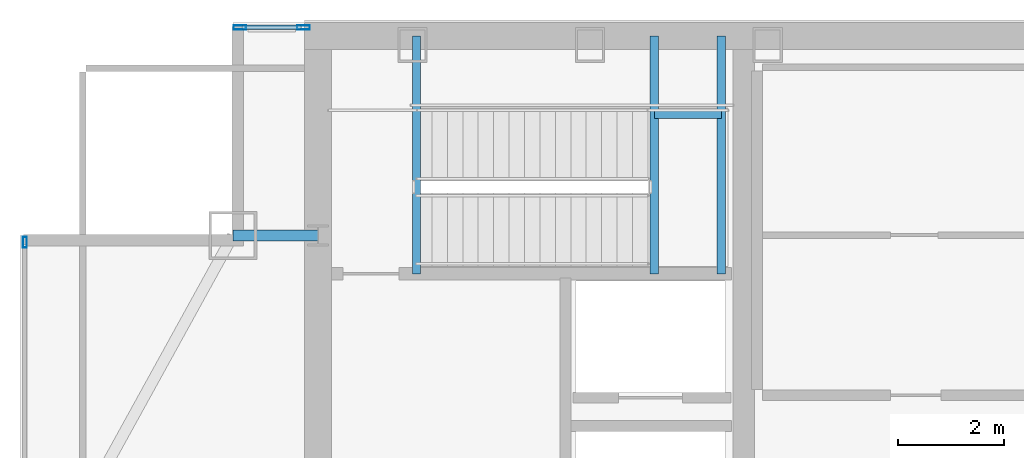
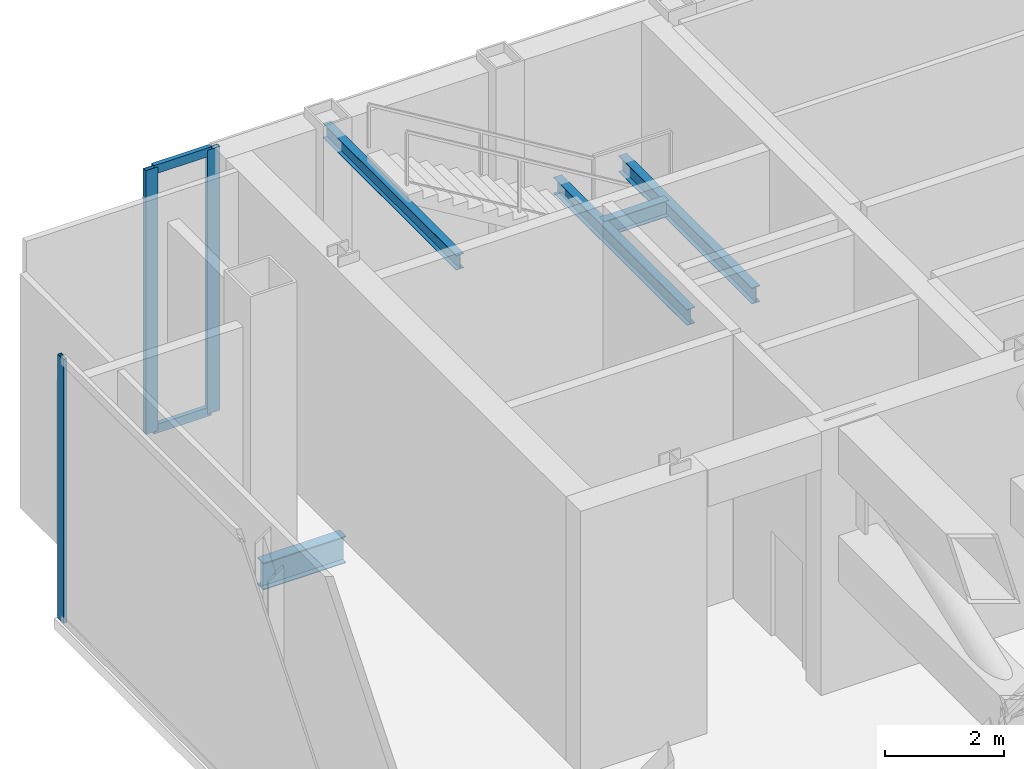
# One storey, part 19 of 26: 5 beams, 5 members, 2 elements without a shape of their own.
"""IFC4 building model written with IfcOpenShell, lengths in metres."""

from ifc_helpers import new_model, si_unit, direction, frame, origin, origin_2d, place, context, subcontext, project, spatial, hollow_rectangle, i_section, extrude, material, material_profile, profile_set, type_object, element, aggregate, save


model = new_model("IFC4")

# Units and contexts
model_context = context("Model", 3, precision=1e-05, world=origin(), true_north=direction((0.0, 1.0)))
body_context = subcontext(model_context, "Body", "Model", "MODEL_VIEW")
ifc_project = project(units=[si_unit("LENGTHUNIT", "METRE"), si_unit("AREAUNIT", "SQUARE_METRE"), si_unit("VOLUMEUNIT", "CUBIC_METRE"), si_unit("PLANEANGLEUNIT", "RADIAN"), si_unit("MASSUNIT", "GRAM", prefix="KILO")], contexts=[model_context])

# Site, building, storey
site_placement = place(None, origin())
site = spatial("IfcSite", under=ifc_project, at=site_placement, CompositionType="ELEMENT")
building_placement = place(site_placement, origin())
building = spatial("IfcBuilding", under=site, at=building_placement, Name="Khoronbel Lancet Exchange", CompositionType="ELEMENT")
storey_placement = place(building_placement, frame((0.0, 0.0, 350.60009765625)))
storey = spatial("IfcBuildingStorey", under=building, at=storey_placement, Name="L91", CompositionType="ELEMENT", Elevation=350.60009765625)

# Beams
ifc_material_1 = material(Name="Steel S355", Category="steel")
ifc_material_profile_1 = material_profile(ifc_material_1, i_section(OverallWidth=0.159912109375, OverallDepth=0.330078125, WebThickness=0.007568359375, FlangeThickness=0.011474609375, at=origin_2d()), Name="IPE 330")
ifc_profile_set_1 = profile_set([ifc_material_profile_1], Name="Steel S355")
beam_type_1 = type_object("IfcBeamType", Name="BM-BJ7", PredefinedType="JOIST", material=ifc_profile_set_1)
for number, where, z_axis, x_axis, name in (
    (1, (22.77001953125, 48.97998046875, 2.434814453125), (0.0, 1.0, 0.0), (-1.0, 0.0, 0.0), "Level L91 stair ST1 landing bearer beam 1"),
    (2, (24.030029296875, 48.97998046875, 2.434814453125), (0.0, 1.0, 0.0), (-1.0, 0.0, 0.0), "Level L91 stair ST1 rear landing bearer beam 1"),
):
    element("IfcBeam", number, at=place(storey_placement, frame(where, z_axis=z_axis, x_axis=x_axis)), inside=storey, type_object=beam_type_1, Name=name, PredefinedType="JOIST", context=body_context, shape_type="SweptSolid", body=[
        extrude(i_section(OverallWidth=0.159912109375, OverallDepth=0.330078125, WebThickness=0.007568359375, FlangeThickness=0.011474609375, at=origin_2d()), origin(), (0.0, 0.0, 1.0), 4.469970703125),
    ])
beam_1_placement = place(storey_placement, frame((22.77001953125, 51.97998046875, 2.434814453125), z_axis=(1.0, 0.0, 0.0), x_axis=(0.0, 1.0, 0.0)))
element("IfcBeam", 3, at=beam_1_placement, inside=storey, type_object=beam_type_1, Name="Level L91 stair ST1 landing cross trimmer beam 1", PredefinedType="JOIST", context=body_context, shape_type="SweptSolid", body=[
    extrude(i_section(OverallWidth=0.159912109375, OverallDepth=0.330078125, WebThickness=0.007568359375, FlangeThickness=0.011474609375, at=origin_2d()), origin(), (0.0, 0.0, 1.0), 1.260009765625),
])
ifc_material_profile_2 = material_profile(ifc_material_1, i_section(OverallWidth=0.14990234375, OverallDepth=0.300048828125, WebThickness=0.007080078125, FlangeThickness=0.0107421875, at=origin_2d()), Name="IPE 300")
ifc_profile_set_2 = profile_set([ifc_material_profile_2], Name="Steel S355")
beam_type_2 = type_object("IfcBeamType", Name="BM-BJ8", PredefinedType="JOIST", material=ifc_profile_set_2)
beam_2_placement = place(storey_placement, frame((18.300048828125, 48.97998046875, 5.119873046875), z_axis=(0.0, 1.0, 0.0), x_axis=(-1.0, 0.0, 0.0)))
element("IfcBeam", 4, at=beam_2_placement, inside=storey, type_object=beam_type_2, Name="Level L91 stair ST1 upper-flight arrival trimmer beam", PredefinedType="JOIST", context=body_context, shape_type="SweptSolid", body=[
    extrude(i_section(OverallWidth=0.14990234375, OverallDepth=0.300048828125, WebThickness=0.007080078125, FlangeThickness=0.0107421875, at=origin_2d()), origin(), (0.0, 0.0, 1.0), 4.469970703125),
])
ifc_material_profile_3 = material_profile(ifc_material_1, i_section(OverallWidth=0.2099609375, OverallDepth=0.550048828125, WebThickness=0.010986328125, FlangeThickness=0.01708984375, at=origin_2d()), Name="IPE 550")
ifc_profile_set_3 = profile_set([ifc_material_profile_3], Name="Steel S355")
beam_type_3 = type_object("IfcBeamType", Name="BM-BSP3", PredefinedType="SPANDREL", material=ifc_profile_set_3)
beam_3_placement = place(storey_placement, frame((14.85009765625, 49.699951171875, -0.4951171875), z_axis=(1.0, 0.0, 0.0), x_axis=(0.0, 1.0, 0.0)))
element("IfcBeam", 5, at=beam_3_placement, inside=storey, type_object=beam_type_3, Name="Level L91 north flank tie spandrel SP20", PredefinedType="SPANDREL", context=body_context, shape_type="SweptSolid", body=[
    extrude(i_section(OverallWidth=0.2099609375, OverallDepth=0.550048828125, WebThickness=0.010986328125, FlangeThickness=0.01708984375, at=origin_2d()), origin(), (0.0, 0.0, 1.0), 1.599853515625),
])

# Curtain wall, members
ifc_material_2 = material(Name="Low-E Solar Control Insulating Glass", Category="glass")
curtain_wall_type = type_object("IfcCurtainWallType", Name="CW-6", PredefinedType="NOTDEFINED", material=ifc_material_2)
curtain_wall_1_placement = place(storey_placement, origin())
curtain_wall_1 = element("IfcCurtainWall", 6, at=curtain_wall_1_placement, inside=storey, type_object=curtain_wall_type, Name="Unitised curtain wall CW-L91-NWFLK", PredefinedType="NOTDEFINED")
ifc_material_3 = material(Name="Bronze-Anodised Aluminium 6063-T6", Category="aluminium")
ifc_material_profile_4 = material_profile(ifc_material_3, hollow_rectangle(XDim=0.0849609375, YDim=0.239990234375, WallThickness=0.006103515625, at=origin_2d()), Name="ALU MULLION 85x240")
ifc_profile_set_4 = profile_set([ifc_material_profile_4], Name="Bronze-Anodised Aluminium 6063-T6")
member_type_1 = type_object("IfcMemberType", Name="MEM-CWM1", PredefinedType="MULLION", material=ifc_profile_set_4)
member_1_placement = place(storey_placement, frame((16.177490234375, 53.610107421875, 0.0), z_axis=(0.0, 0.0, 1.0), x_axis=(0.0, -1.0, 0.0)))
member_1 = element("IfcMember", 7, at=member_1_placement, type_object=member_type_1, Name="CW6 mullion 1", PredefinedType="MULLION", context=body_context, shape_type="SweptSolid", body=[
    extrude(hollow_rectangle(XDim=0.0849609375, YDim=0.239990234375, WallThickness=0.006103515625, at=origin_2d()), origin(), (0.0, 0.0, 1.0), 5.39990234375),
])
member_2_placement = place(storey_placement, frame((14.982421875, 53.610107421875, 0.0), z_axis=(0.0, 0.0, 1.0), x_axis=(0.0, -1.0, 0.0)))
member_2 = element("IfcMember", 8, at=member_2_placement, type_object=member_type_1, Name="CW6 mullion 2", PredefinedType="MULLION", context=body_context, shape_type="SweptSolid", body=[
    extrude(hollow_rectangle(XDim=0.0849609375, YDim=0.239990234375, WallThickness=0.006103515625, at=origin_2d()), origin(), (0.0, 0.0, 1.0), 5.39990234375),
])

# Curtain wall, member
curtain_wall_2_placement = place(storey_placement, origin())
curtain_wall_2 = element("IfcCurtainWall", 9, at=curtain_wall_2_placement, inside=storey, type_object=curtain_wall_type, Name="Unitised curtain wall CW-L91-E03", PredefinedType="NOTDEFINED")
ifc_material_profile_5 = material_profile(ifc_material_3, hollow_rectangle(XDim=0.074951171875, YDim=0.199951171875, WallThickness=0.0048828125, at=origin_2d()), Name="ALU MULLION 75x200")
ifc_profile_set_5 = profile_set([ifc_material_profile_5], Name="Bronze-Anodised Aluminium 6063-T6")
member_type_2 = type_object("IfcMemberType", Name="MEM-CWM2", PredefinedType="MULLION", material=ifc_profile_set_5)
member_3_placement = place(storey_placement, frame((10.93994140625, 49.572509765625, 0.0), z_axis=(0.0, 0.0, 1.0), x_axis=(-1.0, 0.0, 0.0)))
member_3 = element("IfcMember", 10, at=member_3_placement, type_object=member_type_2, Name="CW6 mullion 3", PredefinedType="MULLION", context=body_context, shape_type="SweptSolid", body=[
    extrude(hollow_rectangle(XDim=0.074951171875, YDim=0.199951171875, WallThickness=0.0048828125, at=origin_2d()), origin(), (0.0, 0.0, 1.0), 5.39990234375),
])
aggregate(curtain_wall_2, [member_3])

# Member
ifc_material_profile_6 = material_profile(ifc_material_3, hollow_rectangle(XDim=0.0849609375, YDim=0.179931640625, WallThickness=0.0048828125, at=origin_2d()), Name="ALU TRANSOM 85x180")
ifc_profile_set_6 = profile_set([ifc_material_profile_6], Name="Bronze-Anodised Aluminium 6063-T6")
member_type_3 = type_object("IfcMemberType", Name="MEM-CWT1", PredefinedType="USERDEFINED", material=ifc_profile_set_6)
member_4_placement = place(storey_placement, frame((16.135009765625, 53.610107421875, 0.04248046875), z_axis=(-1.0, 0.0, 0.0), x_axis=(0.0, -1.0, 0.0)))
member_4 = element("IfcMember", 11, at=member_4_placement, type_object=member_type_3, Name="CW6 transom 1.1", ObjectType="TRANSOM", PredefinedType="USERDEFINED", context=body_context, shape_type="SweptSolid", body=[
    extrude(hollow_rectangle(XDim=0.0849609375, YDim=0.179931640625, WallThickness=0.0048828125, at=origin_2d()), origin(), (0.0, 0.0, 1.0), 1.110107421875),
])

member_5_placement = place(storey_placement, frame((16.135009765625, 53.610107421875, 5.357421875), z_axis=(-1.0, 0.0, 0.0), x_axis=(0.0, -1.0, 0.0)))
member_5 = element("IfcMember", 12, at=member_5_placement, type_object=member_type_3, Name="CW6 transom 1.2", ObjectType="TRANSOM", PredefinedType="USERDEFINED", context=body_context, shape_type="SweptSolid", body=[
    extrude(hollow_rectangle(XDim=0.0849609375, YDim=0.179931640625, WallThickness=0.0048828125, at=origin_2d()), origin(), (0.0, 0.0, 1.0), 1.110107421875),
])

aggregate(curtain_wall_1, [member_1, member_2, member_4, member_5])

save(model, "model.ifc")
